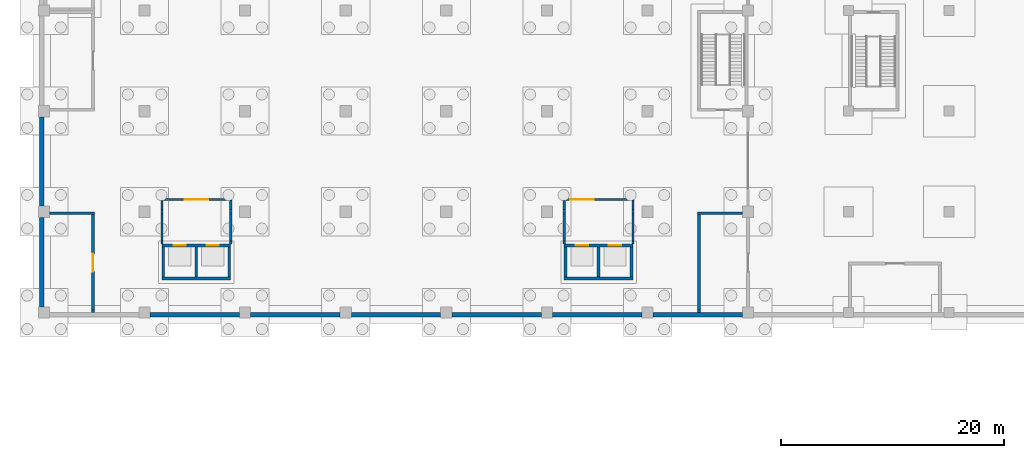
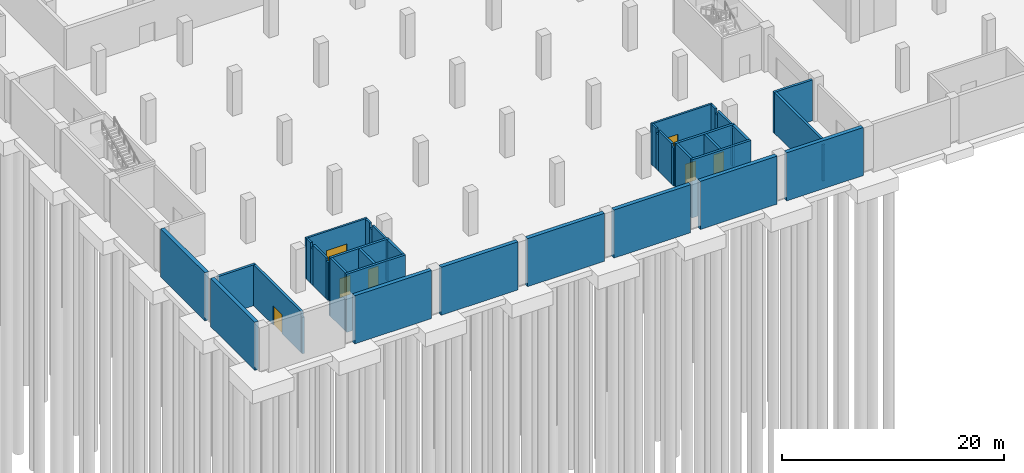
# One storey, part 6 of 17: 42 walls, 7 doors, 7 openings.
"""IFC4 building model written with IfcOpenShell, lengths in metres."""

from ifc_helpers import new_model, si_unit, direction, frame, frame_2d, origin, place, context, subcontext, project, spatial, rectangle, extrude, material, layer, layer_set, type_object, element, fill, save


model = new_model("IFC4")

# Units and contexts
model_context = context("Model", 3, precision=1e-05, world=origin(), true_north=direction((0.0, 1.0)))
body_context = subcontext(model_context, "Body", "Model", "MODEL_VIEW")
ifc_project = project(units=[si_unit("LENGTHUNIT", "METRE"), si_unit("AREAUNIT", "SQUARE_METRE"), si_unit("VOLUMEUNIT", "CUBIC_METRE"), si_unit("PLANEANGLEUNIT", "RADIAN"), si_unit("MASSUNIT", "GRAM", prefix="KILO")], contexts=[model_context])

# Site, building, storey
site_placement = place(None, origin())
site = spatial("IfcSite", under=ifc_project, at=site_placement, CompositionType="ELEMENT")
building_placement = place(site_placement, origin())
building = spatial("IfcBuilding", under=site, at=building_placement, Name="Guidao Yard Department Store", CompositionType="ELEMENT")
storey_placement = place(building_placement, frame((0.0, 0.0, -9.89990234375)))
storey = spatial("IfcBuildingStorey", under=building, at=storey_placement, Name="B2", CompositionType="ELEMENT", Elevation=-9.89990234375)

# Walls
ifc_material_1 = material(Name="Concrete C40", Category="concrete")
ifc_layer_1 = layer(ifc_material_1, 0.39990234375)
ifc_layer_set_1 = layer_set([ifc_layer_1], Name="Retaining wall 400 C40")
wall_type_1 = type_object("IfcWallType", Name="Retaining wall 400 C40", PredefinedType="SOLIDWALL", material=ifc_layer_set_1)
for number, where, z_axis, x_axis, name in (
    (1, (9.5, 44.800048828125, -0.5), (0.0, 0.0, 1.0), (1.0, 0.0, 0.0), "Retaining wall B2-019"),
    (2, (18.5, 44.800048828125, -0.5), (0.0, 0.0, 1.0), (1.0, 0.0, 0.0), "Retaining wall B2-020"),
    (3, (27.5, 44.800048828125, -0.5), (0.0, 0.0, 1.0), (1.0, 0.0, 0.0), "Retaining wall B2-021"),
    (4, (36.5, 44.800048828125, -0.5), (0.0, 0.0, 1.0), (1.0, 0.0, 0.0), "Retaining wall B2-022"),
    (5, (45.5, 44.800048828125, -0.5), (0.0, 0.0, 1.0), (1.0, 0.0, 0.0), "Retaining wall B2-023"),
    (6, (54.5, 44.800048828125, -0.5), (0.0, 0.0, 1.0), (1.0, 0.0, 0.0), "Retaining wall B2-024"),
    (7, (-0.199951171875, 45.5, -0.5), (0.0, 0.0, 1.0), (0.0, 1.0, 0.0), "Retaining wall B2-037"),
    (8, (-0.199951171875, 54.5, -0.5), (0.0, 0.0, 1.0), (0.0, 1.0, 0.0), "Retaining wall B2-039"),
):
    element("IfcWall", number, at=place(storey_placement, frame(where, z_axis=z_axis, x_axis=x_axis)), inside=storey, type_object=wall_type_1, Name=name, PredefinedType="SOLIDWALL", context=body_context, shape_type="SweptSolid", body=[
        extrude(rectangle(XDim=8.0, YDim=0.39990234375, at=frame_2d((4.0, 0.0))), origin(), (0.0, 0.0, 1.0), 5.2998046875),
    ])

# Wall, opening, door
ifc_material_2 = material(Name="Autoclaved aerated concrete block A3.5 B06", Category="concrete")
ifc_layer_2 = layer(ifc_material_2, 0.199951171875)
ifc_layer_set_2 = layer_set([ifc_layer_2], Name="Shaft Wall 200 Autoclaved Block EI 120")
wall_type_2 = type_object("IfcWallType", Name="Shaft Wall 200 Autoclaved Block EI 120", PredefinedType="PARTITIONING", material=ifc_layer_set_2)
wall_1_placement = place(storey_placement, frame((10.449951171875, 55.10009765625, 0.0), z_axis=(0.0, 0.0, 1.0), x_axis=(1.0, 0.0, 0.0)))
wall_1 = element("IfcWall", 9, at=wall_1_placement, inside=storey, type_object=wall_type_2, Name="pt.wall.B2.0013", PredefinedType="PARTITIONING", context=body_context, shape_type="SweptSolid", body=[
    extrude(rectangle(XDim=6.35009765625, YDim=0.199951171875, at=frame_2d((3.175048828125, 0.0))), origin(), (0.0, 0.0, 1.0), 4.5),
])
opening_1_placement = place(wall_1_placement, frame((2.125, 0.0, 0.0)))
opening_1 = element("IfcOpeningElement", 10, at=opening_1_placement, cuts=wall_1, Name="Opening B2-419", PredefinedType="OPENING", context=body_context, shape_type="SweptSolid", body=[
    extrude(rectangle(XDim=2.10009765625, YDim=2.39990234375, at=frame_2d((1.050048828125, 1.199951171875))), frame((0.0, 0.10986328125, 0.0), z_axis=(0.0, -1.0, 0.0), x_axis=(1.0, 0.0, 0.0)), (0.0, 0.0, 1.0), 0.219970703125),
])
ifc_material_3 = material(Name="Timber door leaf with Steel Q235 frame", Category="steel")
door_type_1 = type_object("IfcDoorType", Name="Door 2100 x 2400 FD60 Double Leaf", OperationType="DOUBLE_DOOR_SINGLE_SWING", PredefinedType="DOOR", material=ifc_material_3)
door_1_placement = place(opening_1_placement, origin())
door_1 = element("IfcDoor", 11, at=door_1_placement, inside=storey, type_object=door_type_1, Name="Door B2-419", OperationType="DOUBLE_DOOR_SINGLE_SWING", OverallHeight=2.39990234375, OverallWidth=2.10009765625, PredefinedType="DOOR", context=body_context, shape_type="SweptSolid", body=[
    extrude(rectangle(XDim=2.10009765625, YDim=2.39990234375, at=frame_2d((1.050048828125, 1.199951171875))), frame((0.0, 0.02490234375, 0.0), z_axis=(0.0, -1.0, 0.0), x_axis=(1.0, 0.0, 0.0)), (0.0, 0.0, 1.0), 0.050048828125),
])
fill(opening_1, door_1)

wall_2_placement = place(storey_placement, frame((46.449951171875, 55.10009765625, 0.0), z_axis=(0.0, 0.0, 1.0), x_axis=(1.0, 0.0, 0.0)))
wall_2 = element("IfcWall", 12, at=wall_2_placement, inside=storey, type_object=wall_type_2, Name="pt.wall.B2.0014", PredefinedType="PARTITIONING", context=body_context, shape_type="SweptSolid", body=[
    extrude(rectangle(XDim=6.35009765625, YDim=0.199951171875, at=frame_2d((3.175048828125, 0.0))), origin(), (0.0, 0.0, 1.0), 4.5),
])
opening_2_placement = place(wall_2_placement, frame((0.625, 0.0, 0.0)))
opening_2 = element("IfcOpeningElement", 13, at=opening_2_placement, cuts=wall_2, Name="Opening B2-420", PredefinedType="OPENING", context=body_context, shape_type="SweptSolid", body=[
    extrude(rectangle(XDim=2.10009765625, YDim=2.39990234375, at=frame_2d((1.050048828125, 1.199951171875))), frame((0.0, 0.10986328125, 0.0), z_axis=(0.0, -1.0, 0.0), x_axis=(1.0, 0.0, 0.0)), (0.0, 0.0, 1.0), 0.219970703125),
])
door_2_placement = place(opening_2_placement, origin())
door_2 = element("IfcDoor", 14, at=door_2_placement, inside=storey, type_object=door_type_1, Name="Door B2-420", OperationType="DOUBLE_DOOR_SINGLE_SWING", OverallHeight=2.39990234375, OverallWidth=2.10009765625, PredefinedType="DOOR", context=body_context, shape_type="SweptSolid", body=[
    extrude(rectangle(XDim=2.10009765625, YDim=2.39990234375, at=frame_2d((1.050048828125, 1.199951171875))), frame((0.0, 0.02490234375, 0.0), z_axis=(0.0, -1.0, 0.0), x_axis=(1.0, 0.0, 0.0)), (0.0, 0.0, 1.0), 0.050048828125),
])
fill(opening_2, door_2)

# Walls
wall_3_placement = place(storey_placement, frame((10.550048828125, 51.10009765625, 0.0), z_axis=(0.0, 0.0, 1.0), x_axis=(0.0, 1.0, 0.0)))
element("IfcWall", 15, at=wall_3_placement, inside=storey, type_object=wall_type_2, Name="pt.wall.B2.0036", PredefinedType="PARTITIONING", context=body_context, shape_type="SweptSolid", body=[
    extrude(rectangle(XDim=0.2998046875, YDim=0.199951171875, at=frame_2d((0.14990234375, 0.0))), origin(), (0.0, 0.0, 1.0), 4.199951171875),
])
wall_4_placement = place(storey_placement, frame((10.550048828125, 51.39990234375, 0.0), z_axis=(0.0, 0.0, 1.0), x_axis=(0.0, 1.0, 0.0)))
element("IfcWall", 16, at=wall_4_placement, inside=storey, type_object=wall_type_2, Name="pt.wall.B2.0036a", PredefinedType="PARTITIONING", context=body_context, shape_type="SweptSolid", body=[
    extrude(rectangle(XDim=2.400146484375, YDim=0.199951171875, at=frame_2d((1.2001953125, 0.0))), origin(), (0.0, 0.0, 1.0), 4.5),
])
wall_5_placement = place(storey_placement, frame((10.550048828125, 53.800048828125, 0.0), z_axis=(0.0, 0.0, 1.0), x_axis=(0.0, 1.0, 0.0)))
element("IfcWall", 17, at=wall_5_placement, inside=storey, type_object=wall_type_2, Name="pt.wall.B2.0036b", PredefinedType="PARTITIONING", context=body_context, shape_type="SweptSolid", body=[
    extrude(rectangle(XDim=0.39990234375, YDim=0.199951171875, at=frame_2d((0.199951171875, 0.0))), origin(), (0.0, 0.0, 1.0), 4.0),
])
wall_6_placement = place(storey_placement, frame((10.550048828125, 54.199951171875, 0.0), z_axis=(0.0, 0.0, 1.0), x_axis=(0.0, 1.0, 0.0)))
element("IfcWall", 18, at=wall_6_placement, inside=storey, type_object=wall_type_2, Name="pt.wall.B2.0036c", PredefinedType="PARTITIONING", context=body_context, shape_type="SweptSolid", body=[
    extrude(rectangle(XDim=0.800048828125, YDim=0.199951171875, at=frame_2d((0.39990234375, 0.0))), origin(), (0.0, 0.0, 1.0), 4.5),
])
wall_7_placement = place(storey_placement, frame((16.699951171875, 51.10009765625, 0.0), z_axis=(0.0, 0.0, 1.0), x_axis=(0.0, 1.0, 0.0)))
element("IfcWall", 19, at=wall_7_placement, inside=storey, type_object=wall_type_2, Name="pt.wall.B2.0037", PredefinedType="PARTITIONING", context=body_context, shape_type="SweptSolid", body=[
    extrude(rectangle(XDim=0.2998046875, YDim=0.199951171875, at=frame_2d((0.14990234375, 0.0))), origin(), (0.0, 0.0, 1.0), 4.199951171875),
])
wall_8_placement = place(storey_placement, frame((16.699951171875, 51.39990234375, 0.0), z_axis=(0.0, 0.0, 1.0), x_axis=(0.0, 1.0, 0.0)))
element("IfcWall", 20, at=wall_8_placement, inside=storey, type_object=wall_type_2, Name="pt.wall.B2.0037a", PredefinedType="PARTITIONING", context=body_context, shape_type="SweptSolid", body=[
    extrude(rectangle(XDim=2.400146484375, YDim=0.199951171875, at=frame_2d((1.2001953125, 0.0))), origin(), (0.0, 0.0, 1.0), 4.5),
])
wall_9_placement = place(storey_placement, frame((16.699951171875, 53.800048828125, 0.0), z_axis=(0.0, 0.0, 1.0), x_axis=(0.0, 1.0, 0.0)))
element("IfcWall", 21, at=wall_9_placement, inside=storey, type_object=wall_type_2, Name="pt.wall.B2.0037b", PredefinedType="PARTITIONING", context=body_context, shape_type="SweptSolid", body=[
    extrude(rectangle(XDim=0.39990234375, YDim=0.199951171875, at=frame_2d((0.199951171875, 0.0))), origin(), (0.0, 0.0, 1.0), 4.0),
])
wall_10_placement = place(storey_placement, frame((16.699951171875, 54.199951171875, 0.0), z_axis=(0.0, 0.0, 1.0), x_axis=(0.0, 1.0, 0.0)))
element("IfcWall", 22, at=wall_10_placement, inside=storey, type_object=wall_type_2, Name="pt.wall.B2.0037c", PredefinedType="PARTITIONING", context=body_context, shape_type="SweptSolid", body=[
    extrude(rectangle(XDim=0.800048828125, YDim=0.199951171875, at=frame_2d((0.39990234375, 0.0))), origin(), (0.0, 0.0, 1.0), 4.5),
])
wall_11_placement = place(storey_placement, frame((46.550048828125, 51.10009765625, 0.0), z_axis=(0.0, 0.0, 1.0), x_axis=(0.0, 1.0, 0.0)))
element("IfcWall", 23, at=wall_11_placement, inside=storey, type_object=wall_type_2, Name="pt.wall.B2.0041", PredefinedType="PARTITIONING", context=body_context, shape_type="SweptSolid", body=[
    extrude(rectangle(XDim=0.2998046875, YDim=0.199951171875, at=frame_2d((0.14990234375, 0.0))), origin(), (0.0, 0.0, 1.0), 4.199951171875),
])
wall_12_placement = place(storey_placement, frame((46.550048828125, 51.39990234375, 0.0), z_axis=(0.0, 0.0, 1.0), x_axis=(0.0, 1.0, 0.0)))
element("IfcWall", 24, at=wall_12_placement, inside=storey, type_object=wall_type_2, Name="pt.wall.B2.0041a", PredefinedType="PARTITIONING", context=body_context, shape_type="SweptSolid", body=[
    extrude(rectangle(XDim=2.400146484375, YDim=0.199951171875, at=frame_2d((1.2001953125, 0.0))), origin(), (0.0, 0.0, 1.0), 4.5),
])
wall_13_placement = place(storey_placement, frame((46.550048828125, 53.800048828125, 0.0), z_axis=(0.0, 0.0, 1.0), x_axis=(0.0, 1.0, 0.0)))
element("IfcWall", 25, at=wall_13_placement, inside=storey, type_object=wall_type_2, Name="pt.wall.B2.0041b", PredefinedType="PARTITIONING", context=body_context, shape_type="SweptSolid", body=[
    extrude(rectangle(XDim=0.39990234375, YDim=0.199951171875, at=frame_2d((0.199951171875, 0.0))), origin(), (0.0, 0.0, 1.0), 4.0),
])
wall_14_placement = place(storey_placement, frame((46.550048828125, 54.199951171875, 0.0), z_axis=(0.0, 0.0, 1.0), x_axis=(0.0, 1.0, 0.0)))
element("IfcWall", 26, at=wall_14_placement, inside=storey, type_object=wall_type_2, Name="pt.wall.B2.0041c", PredefinedType="PARTITIONING", context=body_context, shape_type="SweptSolid", body=[
    extrude(rectangle(XDim=0.800048828125, YDim=0.199951171875, at=frame_2d((0.39990234375, 0.0))), origin(), (0.0, 0.0, 1.0), 4.5),
])
wall_15_placement = place(storey_placement, frame((52.699951171875, 51.10009765625, 0.0), z_axis=(0.0, 0.0, 1.0), x_axis=(0.0, 1.0, 0.0)))
element("IfcWall", 27, at=wall_15_placement, inside=storey, type_object=wall_type_2, Name="pt.wall.B2.0042", PredefinedType="PARTITIONING", context=body_context, shape_type="SweptSolid", body=[
    extrude(rectangle(XDim=0.2998046875, YDim=0.199951171875, at=frame_2d((0.14990234375, 0.0))), origin(), (0.0, 0.0, 1.0), 4.199951171875),
])
wall_16_placement = place(storey_placement, frame((52.699951171875, 51.39990234375, 0.0), z_axis=(0.0, 0.0, 1.0), x_axis=(0.0, 1.0, 0.0)))
element("IfcWall", 28, at=wall_16_placement, inside=storey, type_object=wall_type_2, Name="pt.wall.B2.0042a", PredefinedType="PARTITIONING", context=body_context, shape_type="SweptSolid", body=[
    extrude(rectangle(XDim=2.400146484375, YDim=0.199951171875, at=frame_2d((1.2001953125, 0.0))), origin(), (0.0, 0.0, 1.0), 4.5),
])
wall_17_placement = place(storey_placement, frame((52.699951171875, 53.800048828125, 0.0), z_axis=(0.0, 0.0, 1.0), x_axis=(0.0, 1.0, 0.0)))
element("IfcWall", 29, at=wall_17_placement, inside=storey, type_object=wall_type_2, Name="pt.wall.B2.0042b", PredefinedType="PARTITIONING", context=body_context, shape_type="SweptSolid", body=[
    extrude(rectangle(XDim=0.39990234375, YDim=0.199951171875, at=frame_2d((0.199951171875, 0.0))), origin(), (0.0, 0.0, 1.0), 4.0),
])
wall_18_placement = place(storey_placement, frame((52.699951171875, 54.199951171875, 0.0), z_axis=(0.0, 0.0, 1.0), x_axis=(0.0, 1.0, 0.0)))
element("IfcWall", 30, at=wall_18_placement, inside=storey, type_object=wall_type_2, Name="pt.wall.B2.0042c", PredefinedType="PARTITIONING", context=body_context, shape_type="SweptSolid", body=[
    extrude(rectangle(XDim=0.800048828125, YDim=0.199951171875, at=frame_2d((0.39990234375, 0.0))), origin(), (0.0, 0.0, 1.0), 4.5),
])
ifc_material_4 = material(Name="Concrete C40", Category="concrete")
ifc_layer_3 = layer(ifc_material_4, 0.25)
ifc_layer_set_3 = layer_set([ifc_layer_3], Name="Support Wall 250 Concrete C40")
wall_type_3 = type_object("IfcWallType", Name="Support Wall 250 Concrete C40", PredefinedType="SOLIDWALL", material=ifc_layer_set_3)
for number, where, z_axis, x_axis, name in (
    (31, (0.5, 53.875, 0.0), (0.0, 0.0, 1.0), (1.0, 0.0, 0.0), "pt.wall.B2.0011"),
    (32, (58.5, 53.875, 0.0), (0.0, 0.0, 1.0), (1.0, 0.0, 0.0), "pt.wall.B2.0012"),
):
    element("IfcWall", number, at=place(storey_placement, frame(where, z_axis=z_axis, x_axis=x_axis)), inside=storey, type_object=wall_type_3, Name=name, PredefinedType="SOLIDWALL", context=body_context, shape_type="SweptSolid", body=[
        extrude(rectangle(XDim=4.0, YDim=0.25, at=frame_2d((2.0, 0.0))), origin(), (0.0, 0.0, 1.0), 4.5),
    ])
wall_19_placement = place(storey_placement, frame((4.375, 45.0, 0.0), z_axis=(0.0, 0.0, 1.0), x_axis=(0.0, 1.0, 0.0)))
element("IfcWall", 33, at=wall_19_placement, inside=storey, type_object=wall_type_3, Name="pt.wall.B2.0031", PredefinedType="SOLIDWALL", context=body_context, shape_type="SweptSolid", body=[
    extrude(rectangle(XDim=0.199951171875, YDim=0.25, at=frame_2d((0.10009765625, 0.0))), origin(), (0.0, 0.0, 1.0), 4.0),
])

# Wall, opening, door
wall_20_placement = place(storey_placement, frame((4.375, 45.199951171875, 0.0), z_axis=(0.0, 0.0, 1.0), x_axis=(0.0, 1.0, 0.0)))
wall_20 = element("IfcWall", 34, at=wall_20_placement, inside=storey, type_object=wall_type_3, Name="pt.wall.B2.0031a", PredefinedType="SOLIDWALL", context=body_context, shape_type="SweptSolid", body=[
    extrude(rectangle(XDim=8.550048828125, YDim=0.25, at=frame_2d((4.27490234375, 0.0))), origin(), (0.0, 0.0, 1.0), 4.5),
])
opening_3_placement = place(wall_20_placement, frame((3.4375, 0.0, 0.0)))
opening_3 = element("IfcOpeningElement", 35, at=opening_3_placement, cuts=wall_20, Name="Opening B2-411", PredefinedType="OPENING", context=body_context, shape_type="SweptSolid", body=[
    extrude(rectangle(XDim=1.60009765625, YDim=2.10009765625, at=frame_2d((0.800048828125, 1.050048828125))), frame((0.0, 0.135009765625, 0.0), z_axis=(0.0, -1.0, 0.0), x_axis=(1.0, 0.0, 0.0)), (0.0, 0.0, 1.0), 0.27001953125),
])
ifc_material_5 = material(Name="Timber door leaf with Steel Q235 frame", Category="steel")
door_type_2 = type_object("IfcDoorType", Name="Door 1600 x 2100 FD60 Double Leaf", OperationType="DOUBLE_DOOR_SINGLE_SWING", PredefinedType="DOOR", material=ifc_material_5)
door_3_placement = place(opening_3_placement, origin())
door_3 = element("IfcDoor", 36, at=door_3_placement, inside=storey, type_object=door_type_2, Name="Door B2-411", OperationType="DOUBLE_DOOR_SINGLE_SWING", OverallHeight=2.10009765625, OverallWidth=1.60009765625, PredefinedType="DOOR", context=body_context, shape_type="SweptSolid", body=[
    extrude(rectangle(XDim=1.60009765625, YDim=2.10009765625, at=frame_2d((0.800048828125, 1.050048828125))), frame((0.0, 0.02490234375, 0.0), z_axis=(0.0, -1.0, 0.0), x_axis=(1.0, 0.0, 0.0)), (0.0, 0.0, 1.0), 0.050048828125),
])
fill(opening_3, door_3)

# Walls
wall_21_placement = place(storey_placement, frame((58.625, 45.0, 0.0), z_axis=(0.0, 0.0, 1.0), x_axis=(0.0, 1.0, 0.0)))
element("IfcWall", 37, at=wall_21_placement, inside=storey, type_object=wall_type_3, Name="pt.wall.B2.0045", PredefinedType="SOLIDWALL", context=body_context, shape_type="SweptSolid", body=[
    extrude(rectangle(XDim=0.199951171875, YDim=0.25, at=frame_2d((0.10009765625, 0.0))), origin(), (0.0, 0.0, 1.0), 4.0),
])
wall_22_placement = place(storey_placement, frame((58.625, 45.199951171875, 0.0), z_axis=(0.0, 0.0, 1.0), x_axis=(0.0, 1.0, 0.0)))
element("IfcWall", 38, at=wall_22_placement, inside=storey, type_object=wall_type_3, Name="pt.wall.B2.0045a", PredefinedType="SOLIDWALL", context=body_context, shape_type="SweptSolid", body=[
    extrude(rectangle(XDim=8.550048828125, YDim=0.25, at=frame_2d((4.27490234375, 0.0))), origin(), (0.0, 0.0, 1.0), 4.5),
])

# Wall, openings, doors
ifc_material_6 = material(Name="Concrete C40", Category="concrete")
ifc_layer_4 = layer(ifc_material_6, 0.25)
ifc_layer_set_4 = layer_set([ifc_layer_4], Name="Wall RC 250 C40 stair and shaft")
wall_type_4 = type_object("IfcWallType", Name="Wall RC 250 C40 stair and shaft", PredefinedType="SHEAR", material=ifc_layer_set_4)
wall_23_placement = place(storey_placement, frame((10.550048828125, 50.97509765625, -1.60009765625), z_axis=(0.0, 0.0, 1.0), x_axis=(1.0, 0.0, 0.0)))
wall_23 = element("IfcWall", 39, at=wall_23_placement, inside=storey, type_object=wall_type_4, Name="Lift shaft wall HL1 to HL2", PredefinedType="SHEAR", context=body_context, shape_type="SweptSolid", body=[
    extrude(rectangle(XDim=6.14990234375, YDim=0.25, at=frame_2d((3.074951171875, 0.0))), origin(), (0.0, 0.0, 1.0), 6.39990234375),
])
opening_4_placement = place(wall_23_placement, frame((1.050048828125, 0.0, 1.60009765625)))
opening_4 = element("IfcOpeningElement", 40, at=opening_4_placement, cuts=wall_23, Name="Opening LD-HL1-B2", PredefinedType="OPENING", context=body_context, shape_type="SweptSolid", body=[
    extrude(rectangle(XDim=1.10009765625, YDim=2.10009765625, at=frame_2d((0.550048828125, 1.050048828125))), frame((0.0, 0.135009765625, 0.0), z_axis=(0.0, -1.0, 0.0), x_axis=(1.0, 0.0, 0.0)), (0.0, 0.0, 1.0), 0.27001953125),
])
opening_5_placement = place(wall_23_placement, frame((4.0, 0.0, 1.60009765625)))
opening_5 = element("IfcOpeningElement", 41, at=opening_5_placement, cuts=wall_23, Name="Opening LD-HL2-B2", PredefinedType="OPENING", context=body_context, shape_type="SweptSolid", body=[
    extrude(rectangle(XDim=1.10009765625, YDim=2.10009765625, at=frame_2d((0.550048828125, 1.050048828125))), frame((0.0, 0.135009765625, 0.0), z_axis=(0.0, -1.0, 0.0), x_axis=(1.0, 0.0, 0.0)), (0.0, 0.0, 1.0), 0.27001953125),
])
ifc_material_7 = material(Name="Stainless steel 06Cr19Ni10", Category="steel")
door_type_3 = type_object("IfcDoorType", Name="Lift landing door fire-resisting sliding 1100 x 2100", OperationType="DOUBLE_DOOR_SLIDING", PredefinedType="DOOR", material=ifc_material_7)
door_4_placement = place(opening_4_placement, origin())
door_4 = element("IfcDoor", 42, at=door_4_placement, inside=storey, type_object=door_type_3, Name="Lift landing door HL1 B2", OperationType="DOUBLE_DOOR_SLIDING", OverallHeight=2.10009765625, OverallWidth=1.10009765625, PredefinedType="DOOR", context=body_context, shape_type="SweptSolid", body=[
    extrude(rectangle(XDim=1.10009765625, YDim=2.10009765625, at=frame_2d((0.550048828125, 1.050048828125))), frame((0.0, 0.02490234375, 0.0), z_axis=(0.0, -1.0, 0.0), x_axis=(1.0, 0.0, 0.0)), (0.0, 0.0, 1.0), 0.050048828125),
])
fill(opening_4, door_4)
door_5_placement = place(opening_5_placement, origin())
door_5 = element("IfcDoor", 43, at=door_5_placement, inside=storey, type_object=door_type_3, Name="Lift landing door HL2 B2", OperationType="DOUBLE_DOOR_SLIDING", OverallHeight=2.10009765625, OverallWidth=1.10009765625, PredefinedType="DOOR", context=body_context, shape_type="SweptSolid", body=[
    extrude(rectangle(XDim=1.10009765625, YDim=2.10009765625, at=frame_2d((0.550048828125, 1.050048828125))), frame((0.0, 0.02490234375, 0.0), z_axis=(0.0, -1.0, 0.0), x_axis=(1.0, 0.0, 0.0)), (0.0, 0.0, 1.0), 0.050048828125),
])
fill(opening_5, door_5)

# Walls
wall_24_placement = place(storey_placement, frame((10.550048828125, 48.02490234375, -1.60009765625), z_axis=(0.0, 0.0, 1.0), x_axis=(1.0, 0.0, 0.0)))
element("IfcWall", 44, at=wall_24_placement, inside=storey, type_object=wall_type_4, Name="Lift shaft wall HL1 to HL2", PredefinedType="SHEAR", context=body_context, shape_type="SweptSolid", body=[
    extrude(rectangle(XDim=6.14990234375, YDim=0.25, at=frame_2d((3.074951171875, 0.0))), origin(), (0.0, 0.0, 1.0), 6.39990234375),
])
for number, where, z_axis, x_axis, name in (
    (45, (10.675048828125, 48.14990234375, -1.60009765625), (0.0, 0.0, 1.0), (0.0, 1.0, 0.0), "Lift shaft wall HL1 to HL2"),
    (46, (13.625, 48.14990234375, -1.60009765625), (0.0, 0.0, 1.0), (0.0, 1.0, 0.0), "Lift shaft wall HL1 to HL2"),
    (47, (16.574951171875, 48.14990234375, -1.60009765625), (0.0, 0.0, 1.0), (0.0, 1.0, 0.0), "Lift shaft wall HL1 to HL2"),
):
    element("IfcWall", number, at=place(storey_placement, frame(where, z_axis=z_axis, x_axis=x_axis)), inside=storey, type_object=wall_type_4, Name=name, PredefinedType="SHEAR", context=body_context, shape_type="SweptSolid", body=[
        extrude(rectangle(XDim=2.7001953125, YDim=0.25, at=frame_2d((1.35009765625, 0.0))), origin(), (0.0, 0.0, 1.0), 6.39990234375),
    ])

# Wall, openings, doors
wall_25_placement = place(storey_placement, frame((46.550048828125, 50.97509765625, -1.60009765625), z_axis=(0.0, 0.0, 1.0), x_axis=(1.0, 0.0, 0.0)))
wall_25 = element("IfcWall", 48, at=wall_25_placement, inside=storey, type_object=wall_type_4, Name="Lift shaft wall HL3 to HL4", PredefinedType="SHEAR", context=body_context, shape_type="SweptSolid", body=[
    extrude(rectangle(XDim=6.14990234375, YDim=0.25, at=frame_2d((3.074951171875, 0.0))), origin(), (0.0, 0.0, 1.0), 6.39990234375),
])
opening_6_placement = place(wall_25_placement, frame((1.050048828125, 0.0, 1.60009765625)))
opening_6 = element("IfcOpeningElement", 49, at=opening_6_placement, cuts=wall_25, Name="Opening LD-HL3-B2", PredefinedType="OPENING", context=body_context, shape_type="SweptSolid", body=[
    extrude(rectangle(XDim=1.10009765625, YDim=2.10009765625, at=frame_2d((0.550048828125, 1.050048828125))), frame((0.0, 0.135009765625, 0.0), z_axis=(0.0, -1.0, 0.0), x_axis=(1.0, 0.0, 0.0)), (0.0, 0.0, 1.0), 0.27001953125),
])
opening_7_placement = place(wall_25_placement, frame((4.0, 0.0, 1.60009765625)))
opening_7 = element("IfcOpeningElement", 50, at=opening_7_placement, cuts=wall_25, Name="Opening LD-HL4-B2", PredefinedType="OPENING", context=body_context, shape_type="SweptSolid", body=[
    extrude(rectangle(XDim=1.10009765625, YDim=2.10009765625, at=frame_2d((0.550048828125, 1.050048828125))), frame((0.0, 0.135009765625, 0.0), z_axis=(0.0, -1.0, 0.0), x_axis=(1.0, 0.0, 0.0)), (0.0, 0.0, 1.0), 0.27001953125),
])
door_6_placement = place(opening_6_placement, origin())
door_6 = element("IfcDoor", 51, at=door_6_placement, inside=storey, type_object=door_type_3, Name="Lift landing door HL3 B2", OperationType="DOUBLE_DOOR_SLIDING", OverallHeight=2.10009765625, OverallWidth=1.10009765625, PredefinedType="DOOR", context=body_context, shape_type="SweptSolid", body=[
    extrude(rectangle(XDim=1.10009765625, YDim=2.10009765625, at=frame_2d((0.550048828125, 1.050048828125))), frame((0.0, 0.02490234375, 0.0), z_axis=(0.0, -1.0, 0.0), x_axis=(1.0, 0.0, 0.0)), (0.0, 0.0, 1.0), 0.050048828125),
])
fill(opening_6, door_6)
door_7_placement = place(opening_7_placement, origin())
door_7 = element("IfcDoor", 52, at=door_7_placement, inside=storey, type_object=door_type_3, Name="Lift landing door HL4 B2", OperationType="DOUBLE_DOOR_SLIDING", OverallHeight=2.10009765625, OverallWidth=1.10009765625, PredefinedType="DOOR", context=body_context, shape_type="SweptSolid", body=[
    extrude(rectangle(XDim=1.10009765625, YDim=2.10009765625, at=frame_2d((0.550048828125, 1.050048828125))), frame((0.0, 0.02490234375, 0.0), z_axis=(0.0, -1.0, 0.0), x_axis=(1.0, 0.0, 0.0)), (0.0, 0.0, 1.0), 0.050048828125),
])
fill(opening_7, door_7)

# Walls
wall_26_placement = place(storey_placement, frame((46.550048828125, 48.02490234375, -1.60009765625), z_axis=(0.0, 0.0, 1.0), x_axis=(1.0, 0.0, 0.0)))
element("IfcWall", 53, at=wall_26_placement, inside=storey, type_object=wall_type_4, Name="Lift shaft wall HL3 to HL4", PredefinedType="SHEAR", context=body_context, shape_type="SweptSolid", body=[
    extrude(rectangle(XDim=6.14990234375, YDim=0.25, at=frame_2d((3.074951171875, 0.0))), origin(), (0.0, 0.0, 1.0), 6.39990234375),
])
for number, where, z_axis, x_axis, name in (
    (54, (46.675048828125, 48.14990234375, -1.60009765625), (0.0, 0.0, 1.0), (0.0, 1.0, 0.0), "Lift shaft wall HL3 to HL4"),
    (55, (49.625, 48.14990234375, -1.60009765625), (0.0, 0.0, 1.0), (0.0, 1.0, 0.0), "Lift shaft wall HL3 to HL4"),
    (56, (52.574951171875, 48.14990234375, -1.60009765625), (0.0, 0.0, 1.0), (0.0, 1.0, 0.0), "Lift shaft wall HL3 to HL4"),
):
    element("IfcWall", number, at=place(storey_placement, frame(where, z_axis=z_axis, x_axis=x_axis)), inside=storey, type_object=wall_type_4, Name=name, PredefinedType="SHEAR", context=body_context, shape_type="SweptSolid", body=[
        extrude(rectangle(XDim=2.7001953125, YDim=0.25, at=frame_2d((1.35009765625, 0.0))), origin(), (0.0, 0.0, 1.0), 6.39990234375),
    ])

save(model, "model.ifc")
